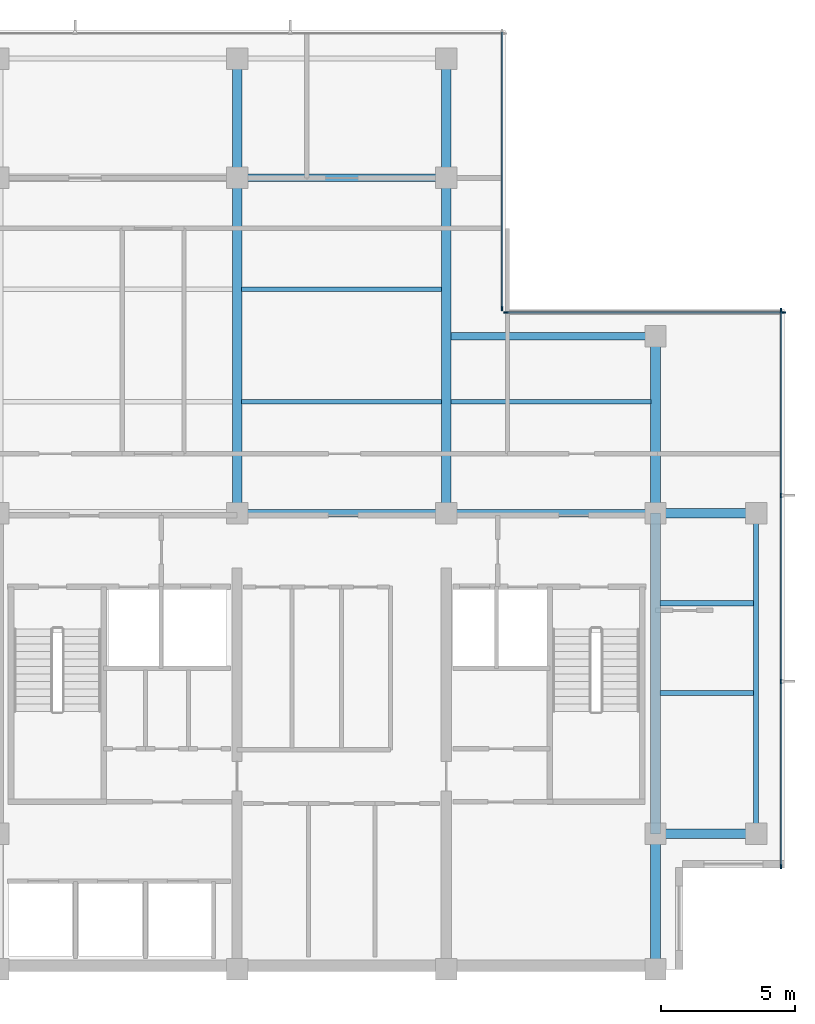
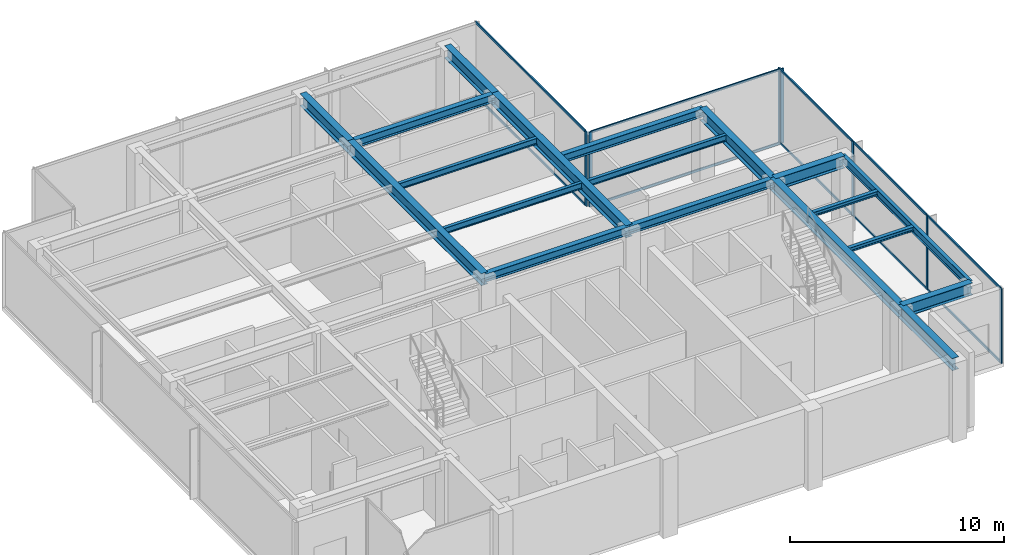
# One storey, part 3 of 11: 19 beams, 17 members, 3 elements without a shape of their own.
"""IFC4 building model written with IfcOpenShell, lengths in metres."""

from ifc_helpers import new_model, si_unit, direction, frame, origin, origin_2d, place, context, subcontext, project, spatial, rectangle, i_section, extrude, material, layer, layer_set, material_profile, profile_set, type_object, element, aggregate, save


model = new_model("IFC4")

# Units and contexts
model_context = context("Model", 3, precision=1e-05, world=origin(), true_north=direction((0.0, 1.0)))
body_context = subcontext(model_context, "Body", "Model", "MODEL_VIEW")
ifc_project = project(units=[si_unit("LENGTHUNIT", "METRE"), si_unit("AREAUNIT", "SQUARE_METRE"), si_unit("VOLUMEUNIT", "CUBIC_METRE"), si_unit("PLANEANGLEUNIT", "RADIAN"), si_unit("MASSUNIT", "GRAM", prefix="KILO")], contexts=[model_context])

# Site, building, storey
site_placement = place(None, origin())
site = spatial("IfcSite", under=ifc_project, at=site_placement, CompositionType="ELEMENT")
building_placement = place(site_placement, origin())
building = spatial("IfcBuilding", under=site, at=building_placement, Name="Qalmaran Belvedere Hotel", CompositionType="ELEMENT")
storey_placement = place(building_placement, frame((0.0, 0.0, 285.39990234375)))
storey = spatial("IfcBuildingStorey", under=building, at=storey_placement, Name="L74", CompositionType="ELEMENT", Elevation=285.39990234375)

# Beams
ifc_material_1 = material(Name="Steel S355JR", Category="steel")
ifc_material_profile_1 = material_profile(ifc_material_1, i_section(OverallWidth=0.201904296875, OverallDepth=0.2470703125, WebThickness=0.00732421875, FlangeThickness=0.010986328125, FilletRadius=0.011962890625, at=origin_2d()), Name="W250X49")
ifc_profile_set_1 = profile_set([ifc_material_profile_1], Name="Steel S355JR")
beam_type_1 = type_object("IfcBeamType", Name="BM-JST-W250X49", PredefinedType="JOIST", material=ifc_profile_set_1)
for number, where, z_axis, x_axis, name in (
    (1, (44.9755859375, 13.800048828125, 4.13671875), (1.0, 0.0, 0.0), (0.0, 1.0, 0.0), "L74 East Wing Joist 032"),
    (2, (44.9755859375, 17.14990234375, 4.13671875), (1.0, 0.0, 0.0), (0.0, 1.0, 0.0), "L74 East Wing Joist 034"),
):
    element("IfcBeam", number, at=place(storey_placement, frame(where, z_axis=z_axis, x_axis=x_axis)), inside=storey, type_object=beam_type_1, Name=name, PredefinedType="JOIST", context=body_context, shape_type="SweptSolid", body=[
        extrude(i_section(OverallWidth=0.201904296875, OverallDepth=0.2470703125, WebThickness=0.00732421875, FlangeThickness=0.010986328125, FilletRadius=0.011962890625, at=origin_2d()), origin(), (0.0, 0.0, 1.0), 3.48046875),
    ])
ifc_material_profile_2 = material_profile(ifc_material_1, i_section(OverallWidth=0.172119140625, OverallDepth=0.35791015625, WebThickness=0.0078125, FlangeThickness=0.01318359375, FilletRadius=0.014892578125, at=origin_2d()), Name="W360X57")
ifc_profile_set_2 = profile_set([ifc_material_profile_2], Name="Steel S355JR")
beam_type_2 = type_object("IfcBeamType", Name="BM-SB4-W360X57", PredefinedType="BEAM", material=ifc_profile_set_2)
for number, where, z_axis, x_axis, name in (
    (3, (29.37548828125, 24.64990234375, 4.0810546875), (1.0, 0.0, 0.0), (0.0, 1.0, 0.0), "L74 Secondary Floor Beam 026"),
    (4, (37.175537109375, 24.64990234375, 4.0810546875), (1.0, 0.0, 0.0), (0.0, 1.0, 0.0), "L74 Secondary Floor Beam 027"),
    (5, (29.37548828125, 28.85009765625, 4.0810546875), (1.0, 0.0, 0.0), (0.0, 1.0, 0.0), "L74 Secondary Floor Beam 030"),
):
    element("IfcBeam", number, at=place(storey_placement, frame(where, z_axis=z_axis, x_axis=x_axis)), inside=storey, type_object=beam_type_2, Name=name, PredefinedType="BEAM", context=body_context, shape_type="SweptSolid", body=[
        extrude(i_section(OverallWidth=0.172119140625, OverallDepth=0.35791015625, WebThickness=0.0078125, FlangeThickness=0.01318359375, FilletRadius=0.014892578125, at=origin_2d()), origin(), (0.0, 0.0, 1.0), 7.448974609375),
    ])
ifc_material_profile_3 = material_profile(ifc_material_1, i_section(OverallWidth=0.19189453125, OverallDepth=0.462890625, WebThickness=0.010498046875, FlangeThickness=0.017578125, FilletRadius=0.01611328125, at=origin_2d()), Name="W460X89")
ifc_profile_set_3 = profile_set([ifc_material_profile_3], Name="Steel S355JR")
beam_type_3 = type_object("IfcBeamType", Name="BM-SP2-W460X89", PredefinedType="SPANDREL", material=ifc_profile_set_3)
beam_1_placement = place(storey_placement, frame((48.550048828125, 8.550048828125, 4.028564453125), z_axis=(0.0, 1.0, 0.0), x_axis=(-1.0, 0.0, 0.0)))
element("IfcBeam", 6, at=beam_1_placement, inside=storey, type_object=beam_type_3, Name="L74 Perimeter Spandrel 03", PredefinedType="SPANDREL", context=body_context, shape_type="SweptSolid", body=[
    extrude(i_section(OverallWidth=0.19189453125, OverallDepth=0.462890625, WebThickness=0.010498046875, FlangeThickness=0.017578125, FilletRadius=0.01611328125, at=origin_2d()), origin(), (0.0, 0.0, 1.0), 11.949951171875),
])
ifc_material_profile_4 = material_profile(ifc_material_1, i_section(OverallWidth=0.35498046875, OverallDepth=0.695068359375, WebThickness=0.015380859375, FlangeThickness=0.02490234375, FilletRadius=0.02197265625, at=origin_2d()), Name="W690X217")
ifc_profile_set_4 = profile_set([ifc_material_profile_4], Name="Steel S355JR")
beam_type_4 = type_object("IfcBeamType", Name="BM-Z1-W690X217", PredefinedType="USERDEFINED", material=ifc_profile_set_4)
beam_2_placement = place(storey_placement, frame((29.199951171875, 20.5, 3.91259765625), z_axis=(0.0, 1.0, 0.0), x_axis=(-1.0, 0.0, 0.0)))
element("IfcBeam", 7, at=beam_2_placement, inside=storey, type_object=beam_type_4, Name="L74 Mid-Plate N-S Girder 13", ObjectType="GIRDER", PredefinedType="USERDEFINED", context=body_context, shape_type="SweptSolid", body=[
    extrude(i_section(OverallWidth=0.35498046875, OverallDepth=0.695068359375, WebThickness=0.015380859375, FlangeThickness=0.02490234375, FilletRadius=0.02197265625, at=origin_2d()), origin(), (0.0, 0.0, 1.0), 12.5),
])
beam_3_placement = place(storey_placement, frame((29.199951171875, 33.0, 3.91259765625), z_axis=(0.0, 1.0, 0.0), x_axis=(-1.0, 0.0, 0.0)))
element("IfcBeam", 8, at=beam_3_placement, inside=storey, type_object=beam_type_4, Name="L74 North Bay Girder 14", ObjectType="GIRDER", PredefinedType="USERDEFINED", context=body_context, shape_type="SweptSolid", body=[
    extrude(i_section(OverallWidth=0.35498046875, OverallDepth=0.695068359375, WebThickness=0.015380859375, FlangeThickness=0.02490234375, FilletRadius=0.02197265625, at=origin_2d()), origin(), (0.0, 0.0, 1.0), 4.449951171875),
])
beam_4_placement = place(storey_placement, frame((37.0, 20.5, 3.91259765625), z_axis=(0.0, 1.0, 0.0), x_axis=(-1.0, 0.0, 0.0)))
element("IfcBeam", 9, at=beam_4_placement, inside=storey, type_object=beam_type_4, Name="L74 Mid-Plate N-S Girder 15", ObjectType="GIRDER", PredefinedType="USERDEFINED", context=body_context, shape_type="SweptSolid", body=[
    extrude(i_section(OverallWidth=0.35498046875, OverallDepth=0.695068359375, WebThickness=0.015380859375, FlangeThickness=0.02490234375, FilletRadius=0.02197265625, at=origin_2d()), origin(), (0.0, 0.0, 1.0), 12.5),
])
beam_5_placement = place(storey_placement, frame((37.0, 33.0, 3.91259765625), z_axis=(0.0, 1.0, 0.0), x_axis=(-1.0, 0.0, 0.0)))
element("IfcBeam", 10, at=beam_5_placement, inside=storey, type_object=beam_type_4, Name="L74 North Bay Girder 16", ObjectType="GIRDER", PredefinedType="USERDEFINED", context=body_context, shape_type="SweptSolid", body=[
    extrude(i_section(OverallWidth=0.35498046875, OverallDepth=0.695068359375, WebThickness=0.015380859375, FlangeThickness=0.02490234375, FilletRadius=0.02197265625, at=origin_2d()), origin(), (0.0, 0.0, 1.0), 4.449951171875),
])
beam_6_placement = place(storey_placement, frame((44.800048828125, 20.5, 3.91259765625), z_axis=(0.0, 1.0, 0.0), x_axis=(-1.0, 0.0, 0.0)))
element("IfcBeam", 11, at=beam_6_placement, inside=storey, type_object=beam_type_4, Name="L74 Mid-Plate N-S Girder 17", ObjectType="GIRDER", PredefinedType="USERDEFINED", context=body_context, shape_type="SweptSolid", body=[
    extrude(i_section(OverallWidth=0.35498046875, OverallDepth=0.695068359375, WebThickness=0.015380859375, FlangeThickness=0.02490234375, FilletRadius=0.02197265625, at=origin_2d()), origin(), (0.0, 0.0, 1.0), 6.60009765625),
])
beam_7_placement = place(storey_placement, frame((44.800048828125, 3.5, 3.91259765625), z_axis=(0.0, 1.0, 0.0), x_axis=(-1.0, 0.0, 0.0)))
element("IfcBeam", 12, at=beam_7_placement, inside=storey, type_object=beam_type_4, Name="L74 East Core Edge Girder A", ObjectType="GIRDER", PredefinedType="USERDEFINED", context=body_context, shape_type="SweptSolid", body=[
    extrude(i_section(OverallWidth=0.35498046875, OverallDepth=0.695068359375, WebThickness=0.015380859375, FlangeThickness=0.02490234375, FilletRadius=0.02197265625, at=origin_2d()), origin(), (0.0, 0.0, 1.0), 5.050048828125),
])
beam_8_placement = place(storey_placement, frame((44.800048828125, 8.550048828125, 3.91259765625), z_axis=(0.0, 1.0, 0.0), x_axis=(-1.0, 0.0, 0.0)))
element("IfcBeam", 13, at=beam_8_placement, inside=storey, type_object=beam_type_4, Name="L74 East Core Edge Girder B", ObjectType="GIRDER", PredefinedType="USERDEFINED", context=body_context, shape_type="SweptSolid", body=[
    extrude(i_section(OverallWidth=0.35498046875, OverallDepth=0.695068359375, WebThickness=0.015380859375, FlangeThickness=0.02490234375, FilletRadius=0.02197265625, at=origin_2d()), origin(), (0.0, 0.0, 1.0), 11.949951171875),
])
for number, where, z_axis, x_axis, name in (
    (14, (44.800048828125, 8.550048828125, 3.91259765625), (1.0, 0.0, 0.0), (0.0, 1.0, 0.0), "L74 East Wing Girder 22"),
    (15, (44.800048828125, 20.5, 3.91259765625), (1.0, 0.0, 0.0), (0.0, 1.0, 0.0), "L74 East Wing Girder 23"),
):
    element("IfcBeam", number, at=place(storey_placement, frame(where, z_axis=z_axis, x_axis=x_axis)), inside=storey, type_object=beam_type_4, Name=name, ObjectType="GIRDER", PredefinedType="USERDEFINED", context=body_context, shape_type="SweptSolid", body=[
        extrude(i_section(OverallWidth=0.35498046875, OverallDepth=0.695068359375, WebThickness=0.015380859375, FlangeThickness=0.02490234375, FilletRadius=0.02197265625, at=origin_2d()), origin(), (0.0, 0.0, 1.0), 3.75),
    ])
ifc_material_profile_5 = material_profile(ifc_material_1, i_section(OverallWidth=0.280029296875, OverallDepth=0.462890625, WebThickness=0.0107421875, FlangeThickness=0.017333984375, FilletRadius=0.01611328125, at=origin_2d()), Name="W460X113")
ifc_profile_set_5 = profile_set([ifc_material_profile_5], Name="Steel S355JR")
beam_type_5 = type_object("IfcBeamType", Name="BM-Z5-W460X113", PredefinedType="USERDEFINED", material=ifc_profile_set_5)
for number, where, z_axis, x_axis, name in (
    (16, (29.199951171875, 20.5, 4.028564453125), (1.0, 0.0, 0.0), (0.0, 1.0, 0.0), "L74 Interior E-W Girder 07"),
    (17, (37.0, 20.5, 4.028564453125), (1.0, 0.0, 0.0), (0.0, 1.0, 0.0), "L74 Interior E-W Girder 08"),
    (18, (29.199951171875, 33.0, 4.028564453125), (1.0, 0.0, 0.0), (0.0, 1.0, 0.0), "L74 Interior E-W Girder 10"),
):
    element("IfcBeam", number, at=place(storey_placement, frame(where, z_axis=z_axis, x_axis=x_axis)), inside=storey, type_object=beam_type_5, Name=name, ObjectType="GIRDER", PredefinedType="USERDEFINED", context=body_context, shape_type="SweptSolid", body=[
        extrude(i_section(OverallWidth=0.280029296875, OverallDepth=0.462890625, WebThickness=0.0107421875, FlangeThickness=0.017333984375, FilletRadius=0.01611328125, at=origin_2d()), origin(), (0.0, 0.0, 1.0), 7.800048828125),
    ])
beam_9_placement = place(storey_placement, frame((37.175537109375, 27.10009765625, 4.028564453125), z_axis=(1.0, 0.0, 0.0), x_axis=(0.0, 1.0, 0.0)))
element("IfcBeam", 19, at=beam_9_placement, inside=storey, type_object=beam_type_5, Name="L74 North-East Notch Rim Girder", ObjectType="GIRDER", PredefinedType="USERDEFINED", context=body_context, shape_type="SweptSolid", body=[
    extrude(i_section(OverallWidth=0.280029296875, OverallDepth=0.462890625, WebThickness=0.0107421875, FlangeThickness=0.017333984375, FilletRadius=0.01611328125, at=origin_2d()), origin(), (0.0, 0.0, 1.0), 7.62451171875),
])

# Curtain wall, members
ifc_material_2 = material(Name="Anodised Bronze Aluminium", Category="aluminium")
ifc_layer = layer(ifc_material_2, 0.18505859375, Name="Anodised Bronze Aluminium")
ifc_layer_set = layer_set([ifc_layer], Name="Anodised Bronze Aluminium")
curtain_wall_type = type_object("IfcCurtainWallType", Name="CW6-TOWER-SKY", PredefinedType="NOTDEFINED", material=ifc_layer_set)
curtain_wall_1_placement = place(storey_placement, origin())
curtain_wall_1 = element("IfcCurtainWall", 20, at=curtain_wall_1_placement, inside=storey, type_object=curtain_wall_type, Name="L74 Curtain Wall CW6", PredefinedType="NOTDEFINED")
ifc_material_profile_6 = material_profile(ifc_material_2, rectangle(XDim=0.06494140625, YDim=0.1650390625, at=origin_2d()), Name="CWM65X165")
ifc_profile_set_6 = profile_set([ifc_material_profile_6], Name="Anodised Bronze Aluminium")
member_type_1 = type_object("IfcMemberType", Name="CWM-65X165", PredefinedType="MULLION", material=ifc_profile_set_6)
member_1_placement = place(storey_placement, frame((49.47998046875, 7.33251953125, 0.0), z_axis=(0.0, 0.0, 1.0), x_axis=(-1.0, 0.0, 0.0)))
member_1 = element("IfcMember", 21, at=member_1_placement, type_object=member_type_1, Name="CW6 mullion 1", PredefinedType="MULLION", context=body_context, shape_type="SweptSolid", body=[
    extrude(rectangle(XDim=0.06494140625, YDim=0.1650390625, at=origin_2d()), origin(), (0.0, 0.0, 1.0), 4.260009765625),
])
member_2_placement = place(storey_placement, frame((49.47998046875, 14.2333984375, 0.0), z_axis=(0.0, 0.0, 1.0), x_axis=(-1.0, 0.0, 0.0)))
member_2 = element("IfcMember", 22, at=member_2_placement, type_object=member_type_1, Name="CW6 mullion 2", PredefinedType="MULLION", context=body_context, shape_type="SweptSolid", body=[
    extrude(rectangle(XDim=0.06494140625, YDim=0.1650390625, at=origin_2d()), origin(), (0.0, 0.0, 1.0), 4.260009765625),
])
member_3_placement = place(storey_placement, frame((49.47998046875, 21.166748046875, 0.0), z_axis=(0.0, 0.0, 1.0), x_axis=(-1.0, 0.0, 0.0)))
member_3 = element("IfcMember", 23, at=member_3_placement, type_object=member_type_1, Name="CW6 mullion 3", PredefinedType="MULLION", context=body_context, shape_type="SweptSolid", body=[
    extrude(rectangle(XDim=0.06494140625, YDim=0.1650390625, at=origin_2d()), origin(), (0.0, 0.0, 1.0), 4.260009765625),
])
member_4_placement = place(storey_placement, frame((49.47998046875, 28.0673828125, 0.0), z_axis=(0.0, 0.0, 1.0), x_axis=(-1.0, 0.0, 0.0)))
member_4 = element("IfcMember", 24, at=member_4_placement, type_object=member_type_1, Name="CW6 mullion 4", PredefinedType="MULLION", context=body_context, shape_type="SweptSolid", body=[
    extrude(rectangle(XDim=0.06494140625, YDim=0.1650390625, at=origin_2d()), origin(), (0.0, 0.0, 1.0), 4.260009765625),
])

curtain_wall_2_placement = place(storey_placement, origin())
curtain_wall_2 = element("IfcCurtainWall", 25, at=curtain_wall_2_placement, inside=storey, type_object=curtain_wall_type, Name="L74 Curtain Wall CW6", PredefinedType="NOTDEFINED")
member_5_placement = place(storey_placement, frame((49.5673828125, 27.97998046875, 0.0), z_axis=(0.0, 0.0, 1.0), x_axis=(0.0, -1.0, 0.0)))
member_5 = element("IfcMember", 26, at=member_5_placement, type_object=member_type_1, Name="CW6 mullion 1", PredefinedType="MULLION", context=body_context, shape_type="SweptSolid", body=[
    extrude(rectangle(XDim=0.06494140625, YDim=0.1650390625, at=origin_2d()), origin(), (0.0, 0.0, 1.0), 4.260009765625),
])
member_6_placement = place(storey_placement, frame((39.232421875, 27.97998046875, 0.0), z_axis=(0.0, 0.0, 1.0), x_axis=(0.0, -1.0, 0.0)))
member_6 = element("IfcMember", 27, at=member_6_placement, type_object=member_type_1, Name="CW6 mullion 2", PredefinedType="MULLION", context=body_context, shape_type="SweptSolid", body=[
    extrude(rectangle(XDim=0.06494140625, YDim=0.1650390625, at=origin_2d()), origin(), (0.0, 0.0, 1.0), 4.260009765625),
])

# Curtain wall, member
curtain_wall_3_placement = place(storey_placement, origin())
curtain_wall_3 = element("IfcCurtainWall", 28, at=curtain_wall_3_placement, inside=storey, type_object=curtain_wall_type, Name="L74 Curtain Wall CW6", PredefinedType="NOTDEFINED")
member_7_placement = place(storey_placement, frame((39.080078125, 28.132568359375, 0.0), z_axis=(0.0, 0.0, 1.0), x_axis=(-1.0, 0.0, 0.0)))
member_7 = element("IfcMember", 29, at=member_7_placement, type_object=member_type_1, Name="CW6 mullion 1", PredefinedType="MULLION", context=body_context, shape_type="SweptSolid", body=[
    extrude(rectangle(XDim=0.06494140625, YDim=0.1650390625, at=origin_2d()), origin(), (0.0, 0.0, 1.0), 4.260009765625),
])

# Member
ifc_material_profile_7 = material_profile(ifc_material_2, rectangle(XDim=0.06494140625, YDim=0.1298828125, at=origin_2d()), Name="CWT65X130")
ifc_profile_set_7 = profile_set([ifc_material_profile_7], Name="Anodised Bronze Aluminium")
member_type_2 = type_object("IfcMemberType", Name="CWT-65X130", PredefinedType="USERDEFINED", material=ifc_profile_set_7)
member_8_placement = place(storey_placement, frame((49.47998046875, 7.364990234375, 0.03271484375), z_axis=(0.0, 1.0, 0.0), x_axis=(-1.0, 0.0, 0.0)))
member_8 = element("IfcMember", 30, at=member_8_placement, type_object=member_type_2, Name="CW6 transom 1.1", ObjectType="TRANSOM", PredefinedType="USERDEFINED", context=body_context, shape_type="SweptSolid", body=[
    extrude(rectangle(XDim=0.06494140625, YDim=0.1298828125, at=origin_2d()), origin(), (0.0, 0.0, 1.0), 6.8359375),
])

member_9_placement = place(storey_placement, frame((49.47998046875, 7.364990234375, 4.2275390625), z_axis=(0.0, 1.0, 0.0), x_axis=(-1.0, 0.0, 0.0)))
member_9 = element("IfcMember", 31, at=member_9_placement, type_object=member_type_2, Name="CW6 transom 1.2", ObjectType="TRANSOM", PredefinedType="USERDEFINED", context=body_context, shape_type="SweptSolid", body=[
    extrude(rectangle(XDim=0.06494140625, YDim=0.1298828125, at=origin_2d()), origin(), (0.0, 0.0, 1.0), 6.8359375),
])

member_10_placement = place(storey_placement, frame((49.47998046875, 14.265869140625, 0.03271484375), z_axis=(0.0, 1.0, 0.0), x_axis=(-1.0, 0.0, 0.0)))
member_10 = element("IfcMember", 32, at=member_10_placement, type_object=member_type_2, Name="CW6 transom 2.1", ObjectType="TRANSOM", PredefinedType="USERDEFINED", context=body_context, shape_type="SweptSolid", body=[
    extrude(rectangle(XDim=0.06494140625, YDim=0.1298828125, at=origin_2d()), origin(), (0.0, 0.0, 1.0), 6.868408203125),
])

member_11_placement = place(storey_placement, frame((49.47998046875, 14.265869140625, 4.2275390625), z_axis=(0.0, 1.0, 0.0), x_axis=(-1.0, 0.0, 0.0)))
member_11 = element("IfcMember", 33, at=member_11_placement, type_object=member_type_2, Name="CW6 transom 2.2", ObjectType="TRANSOM", PredefinedType="USERDEFINED", context=body_context, shape_type="SweptSolid", body=[
    extrude(rectangle(XDim=0.06494140625, YDim=0.1298828125, at=origin_2d()), origin(), (0.0, 0.0, 1.0), 6.868408203125),
])

member_12_placement = place(storey_placement, frame((49.47998046875, 21.19921875, 0.03271484375), z_axis=(0.0, 1.0, 0.0), x_axis=(-1.0, 0.0, 0.0)))
member_12 = element("IfcMember", 34, at=member_12_placement, type_object=member_type_2, Name="CW6 transom 3.1", ObjectType="TRANSOM", PredefinedType="USERDEFINED", context=body_context, shape_type="SweptSolid", body=[
    extrude(rectangle(XDim=0.06494140625, YDim=0.1298828125, at=origin_2d()), origin(), (0.0, 0.0, 1.0), 6.835693359375),
])

member_13_placement = place(storey_placement, frame((49.47998046875, 21.19921875, 4.2275390625), z_axis=(0.0, 1.0, 0.0), x_axis=(-1.0, 0.0, 0.0)))
member_13 = element("IfcMember", 35, at=member_13_placement, type_object=member_type_2, Name="CW6 transom 3.2", ObjectType="TRANSOM", PredefinedType="USERDEFINED", context=body_context, shape_type="SweptSolid", body=[
    extrude(rectangle(XDim=0.06494140625, YDim=0.1298828125, at=origin_2d()), origin(), (0.0, 0.0, 1.0), 6.835693359375),
])

aggregate(curtain_wall_1, [member_1, member_2, member_3, member_4, member_8, member_9, member_10, member_11, member_12, member_13])

member_14_placement = place(storey_placement, frame((49.534912109375, 27.97998046875, 0.03271484375), z_axis=(-1.0, 0.0, 0.0), x_axis=(0.0, -1.0, 0.0)))
member_14 = element("IfcMember", 36, at=member_14_placement, type_object=member_type_2, Name="CW6 transom 1.1", ObjectType="TRANSOM", PredefinedType="USERDEFINED", context=body_context, shape_type="SweptSolid", body=[
    extrude(rectangle(XDim=0.06494140625, YDim=0.1298828125, at=origin_2d()), origin(), (0.0, 0.0, 1.0), 10.27001953125),
])

member_15_placement = place(storey_placement, frame((49.534912109375, 27.97998046875, 4.2275390625), z_axis=(-1.0, 0.0, 0.0), x_axis=(0.0, -1.0, 0.0)))
member_15 = element("IfcMember", 37, at=member_15_placement, type_object=member_type_2, Name="CW6 transom 1.2", ObjectType="TRANSOM", PredefinedType="USERDEFINED", context=body_context, shape_type="SweptSolid", body=[
    extrude(rectangle(XDim=0.06494140625, YDim=0.1298828125, at=origin_2d()), origin(), (0.0, 0.0, 1.0), 10.27001953125),
])

aggregate(curtain_wall_2, [member_5, member_6, member_14, member_15])

member_16_placement = place(storey_placement, frame((39.080078125, 28.1650390625, 0.03271484375), z_axis=(0.0, 1.0, 0.0), x_axis=(-1.0, 0.0, 0.0)))
member_16 = element("IfcMember", 38, at=member_16_placement, type_object=member_type_2, Name="CW6 transom 1.1", ObjectType="TRANSOM", PredefinedType="USERDEFINED", context=body_context, shape_type="SweptSolid", body=[
    extrude(rectangle(XDim=0.06494140625, YDim=0.1298828125, at=origin_2d()), origin(), (0.0, 0.0, 1.0), 10.27001953125),
])

member_17_placement = place(storey_placement, frame((39.080078125, 28.1650390625, 4.2275390625), z_axis=(0.0, 1.0, 0.0), x_axis=(-1.0, 0.0, 0.0)))
member_17 = element("IfcMember", 39, at=member_17_placement, type_object=member_type_2, Name="CW6 transom 1.2", ObjectType="TRANSOM", PredefinedType="USERDEFINED", context=body_context, shape_type="SweptSolid", body=[
    extrude(rectangle(XDim=0.06494140625, YDim=0.1298828125, at=origin_2d()), origin(), (0.0, 0.0, 1.0), 10.27001953125),
])

aggregate(curtain_wall_3, [member_7, member_16, member_17])

save(model, "model.ifc")
